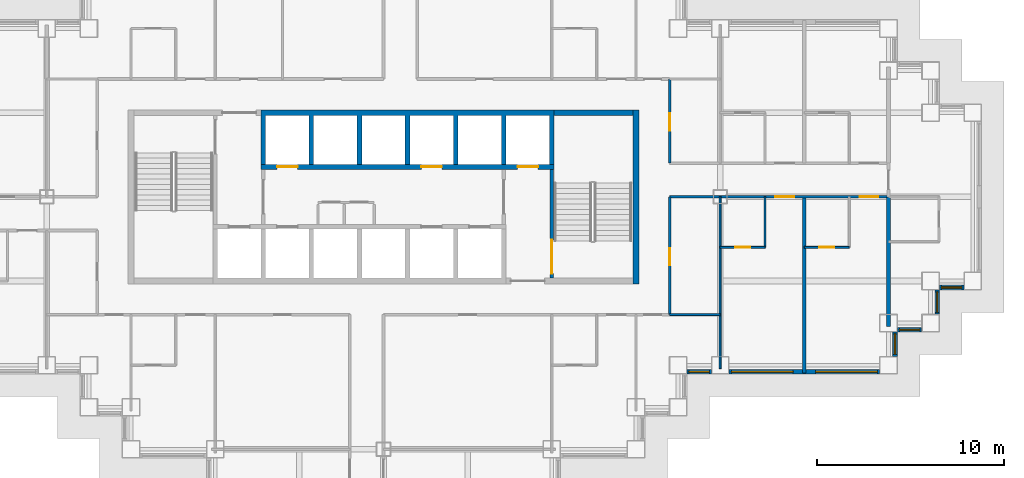
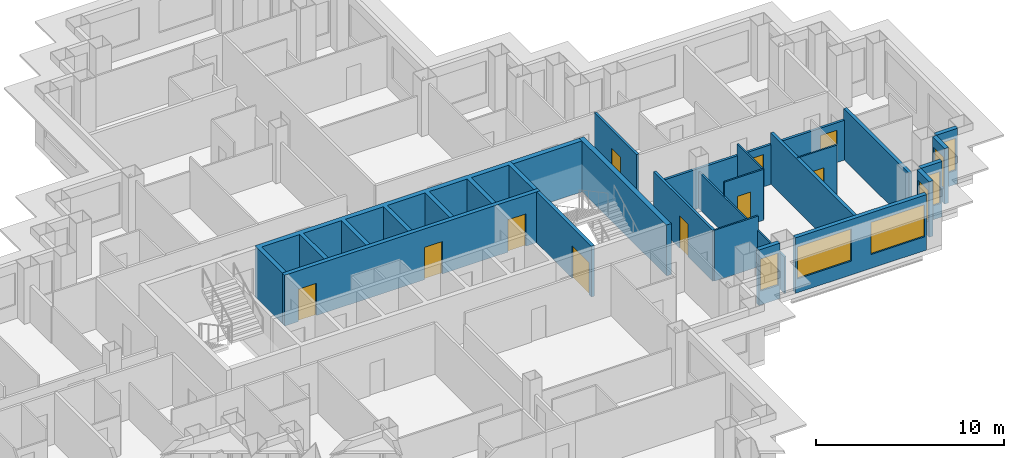
# One storey, part 6 of 15: 21 walls, 10 doors, 7 windows, 17 openings.
"""IFC4 building model written with IfcOpenShell, lengths in metres."""

import ifcopenshell
import ifcopenshell.guid

model = None  # the IFC model being written
_history = None  # IfcOwnerHistory: only IFC2X3 demands one
_inside = {}  # id of a spatial element -> (the spatial element, [elements in it])
_under = {}  # id of a project, library or spatial element -> (it, [spatial elements below it])
_declared = {}  # id of a project -> (the project, [libraries it declares])
_typed = {}  # id of a type object -> (the type object, [elements of that type])
_made_of = {}  # id of a material, layer set ... -> (it, [elements and type objects made of it])


def new_model(schema):
    """Start an empty IFC model of exactly this schema.

    Asked for "IFC4X3", IfcOpenShell would pick the latest addendum, in which some entities
    have other attributes; the version numbers below select the first issue.
    IFC2X3 requires an IfcOwnerHistory on every rooted entity: one is made here for all.
    """
    global model, _history
    if schema == "IFC4X3":
        model = ifcopenshell.file(schema_version=(4, 3, 0, 0))
    else:
        model = ifcopenshell.file(schema=schema)
    _inside.clear()
    _under.clear()
    _declared.clear()
    _typed.clear()
    _made_of.clear()
    _history = None
    if model.schema == "IFC2X3":
        org = make("IfcOrganization", Name="unknown")
        user = make(
            "IfcPersonAndOrganization",
            ThePerson=make("IfcPerson", FamilyName="unknown"),
            TheOrganization=org,
        )
        app = make(
            "IfcApplication",
            ApplicationDeveloper=org,
            Version="unknown",
            ApplicationFullName="unknown",
            ApplicationIdentifier="unknown",
        )
        _history = make(
            "IfcOwnerHistory",
            OwningUser=user,
            OwningApplication=app,
            ChangeAction="ADDED",
            CreationDate=0,
        )
    return model


def make(cls, **values):
    """One entity of the class cls with the attributes given. An attribute that is None is left unset."""
    return model.create_entity(
        cls, **{name: value for name, value in values.items() if value is not None}
    )


def rooted(cls, **values):
    """An entity with a GlobalId (a new one), such as an element, a storey or a relation."""
    return make(cls, GlobalId=ifcopenshell.guid.new(), OwnerHistory=_history, **values)


def si_unit(unit_type, name, prefix=None):
    """IfcSIUnit, for example si_unit("LENGTHUNIT", "METRE", prefix="MILLI")."""
    return make("IfcSIUnit", UnitType=unit_type, Prefix=prefix, Name=name)


def assignment(units):
    """IfcUnitAssignment: the units of a project."""
    return None if units is None else make("IfcUnitAssignment", Units=units)


def point(xyz):
    """IfcCartesianPoint."""
    return None if xyz is None else make("IfcCartesianPoint", Coordinates=xyz)


def direction(xyz):
    """IfcDirection."""
    return None if xyz is None else make("IfcDirection", DirectionRatios=xyz)


def frame(location, z_axis=None, x_axis=None):
    """IfcAxis2Placement3D, a coordinate frame: its origin and axes. An axis left out is left unset."""
    return make(
        "IfcAxis2Placement3D",
        Location=point(location),
        Axis=direction(z_axis),
        RefDirection=direction(x_axis),
    )


def frame_2d(location, x_axis=None):
    """IfcAxis2Placement2D, a coordinate frame in the plane: its origin and x axis."""
    return make(
        "IfcAxis2Placement2D", Location=point(location), RefDirection=direction(x_axis)
    )


def origin():
    """The frame at (0, 0, 0) with its axes left unset."""
    return frame((0.0, 0.0, 0.0))


def place(relative_to, where):
    """IfcLocalPlacement: puts the frame where relative to a parent placement (None: the world)."""
    return make(
        "IfcLocalPlacement", PlacementRelTo=relative_to, RelativePlacement=where
    )


def context(
    kind, dimensions, precision=None, world=None, true_north=None, identifier=None
):
    """IfcGeometricRepresentationContext, for example the 3D "Model" context."""
    return make(
        "IfcGeometricRepresentationContext",
        ContextIdentifier=identifier,
        ContextType=kind,
        CoordinateSpaceDimension=dimensions,
        Precision=precision,
        WorldCoordinateSystem=world,
        TrueNorth=true_north,
    )


def subcontext(parent, identifier, kind, view, scale=None):
    """IfcGeometricRepresentationSubContext, for example "Body" below "Model"."""
    return make(
        "IfcGeometricRepresentationSubContext",
        ContextIdentifier=identifier,
        ContextType=kind,
        ParentContext=parent,
        TargetScale=scale,
        TargetView=view,
    )


def project(units=None, contexts=None):
    """IfcProject with its units and contexts."""
    return rooted(
        "IfcProject",
        Name="project",
        RepresentationContexts=contexts,
        UnitsInContext=assignment(units),
    )


def spatial(cls, under=None, at=None, **own):
    """A site, building, storey or space (cls), placed at a placement, below another one or the project."""
    s = rooted(cls, ObjectPlacement=at, **own)
    if under is not None:
        _under.setdefault(under.id(), (under, []))[1].append(s)
    return s


def polyline(points):
    """IfcPolyline through the points."""
    return make("IfcPolyline", Points=[point(p) for p in points])


def profile(cls, at=None, kind="AREA", **sizes):
    """A parametric profile (cls). Its sizes go by their IFC names, for example OverallWidth=200.0."""
    return make(cls, ProfileType=kind, Position=at, **sizes)


def rectangle(**sizes):
    """IfcRectangleProfileDef."""
    return profile("IfcRectangleProfileDef", **sizes)


def outline(outer, holes=None, kind="AREA"):
    """IfcArbitraryClosedProfileDef: a profile drawn as a closed curve; with holes, ...WithVoids."""
    if holes is None:
        return make("IfcArbitraryClosedProfileDef", ProfileType=kind, OuterCurve=outer)
    return make(
        "IfcArbitraryProfileDefWithVoids",
        ProfileType=kind,
        OuterCurve=outer,
        InnerCurves=holes,
    )


def extrude(swept, where, along, depth):
    """IfcExtrudedAreaSolid: the profile swept, set in the frame where, extruded along a direction by depth."""
    return make(
        "IfcExtrudedAreaSolid",
        SweptArea=swept,
        Position=where,
        ExtrudedDirection=direction(along),
        Depth=depth,
    )


def shape(context_of_items, identifier, shape_type, items):
    """IfcShapeRepresentation: the items that make up one representation, for example the "Body"."""
    return make(
        "IfcShapeRepresentation",
        ContextOfItems=context_of_items,
        RepresentationIdentifier=identifier,
        RepresentationType=shape_type,
        Items=items,
    )


def material(Name=None, Category=None):
    """IfcMaterial."""
    return make("IfcMaterial", Name=Name, Category=Category)


def layer(
    of_material, thickness, ventilated=None, Name=None, Category=None, Priority=None
):
    """IfcMaterialLayer: one layer of a wall or slab, of a material (None: an air gap)."""
    return make(
        "IfcMaterialLayer",
        Material=of_material,
        LayerThickness=thickness,
        IsVentilated=ventilated,
        Name=Name,
        Category=Category,
        Priority=Priority,
    )


def layer_set(layers, Name=None):
    """IfcMaterialLayerSet."""
    return make("IfcMaterialLayerSet", MaterialLayers=layers, LayerSetName=Name)


def made_of(thing, what):
    """Note that an element or type object is made of a material, layer set ...; save() writes the relation."""
    if what is not None:
        _made_of.setdefault(what.id(), (what, []))[1].append(thing)
    return thing


def type_object(cls, material=None, **own):
    """A type object (cls), such as IfcWallType, which elements share."""
    return made_of(rooted(cls, **own), material)


def element(
    cls,
    number,
    at=None,
    inside=None,
    cuts=None,
    type_object=None,
    material=None,
    context=None,
    identifier="Body",
    shape_type=None,
    held_by="IfcProductDefinitionShape",
    body=None,
    shapes=None,
    **own,
):
    """One element of the class cls, such as IfcWall. Its Tag is "e" and its number.

    at: its placement. inside: the storey or other place that contains it. cuts: it is an
    opening in that element (IfcRelVoidsElement). A single representation is given by context,
    identifier, shape_type and body (its items); several are given by shapes. held_by: the class
    of the entity that holds the representations. save() writes the other relations.
    """
    e = rooted(cls, Tag="e%d" % number, ObjectPlacement=at, **own)
    if body is not None:
        shapes = [shape(context, identifier, shape_type, body)]
    if shapes is not None:
        e.Representation = make(held_by, Representations=shapes)
    if inside is not None:
        _inside.setdefault(inside.id(), (inside, []))[1].append(e)
    if cuts is not None:
        rooted(
            "IfcRelVoidsElement", RelatingBuildingElement=cuts, RelatedOpeningElement=e
        )
    if type_object is not None:
        _typed.setdefault(type_object.id(), (type_object, []))[1].append(e)
    return made_of(e, material)


def fill(opening, filler):
    """IfcRelFillsElement: the door or window that sits in an opening."""
    return rooted(
        "IfcRelFillsElement",
        RelatingOpeningElement=opening,
        RelatedBuildingElement=filler,
    )


def aggregate(whole, parts):
    """IfcRelAggregates: a whole, such as a stair, and the parts it consists of."""
    return rooted("IfcRelAggregates", RelatingObject=whole, RelatedObjects=parts)


def save(model, path):
    """Write the relations noted so far, then the file.

    IfcRelAggregates (storeys below a building ...), IfcRelContainedInSpatialStructure (elements
    in a storey), IfcRelDefinesByType, IfcRelAssociatesMaterial and IfcRelDeclares: one each for
    every whole, place, type object, material and project.
    """
    for whole, parts in _under.values():
        aggregate(whole, parts)
    for where, things in _inside.values():
        rooted(
            "IfcRelContainedInSpatialStructure",
            RelatedElements=things,
            RelatingStructure=where,
        )
    for kind, things in _typed.values():
        rooted("IfcRelDefinesByType", RelatedObjects=things, RelatingType=kind)
    for what, things in _made_of.values():
        rooted("IfcRelAssociatesMaterial", RelatedObjects=things, RelatingMaterial=what)
    for by, libraries in _declared.values():
        rooted("IfcRelDeclares", RelatingContext=by, RelatedDefinitions=libraries)
    model.write(path)


model = new_model("IFC4")

# Units and contexts
model_context = context("Model", 3, precision=1e-05, world=origin(), true_north=direction((0.0, 1.0)))
body_context = subcontext(model_context, "Body", "Model", "MODEL_VIEW")
ifc_project = project(units=[si_unit("LENGTHUNIT", "METRE"), si_unit("AREAUNIT", "SQUARE_METRE"), si_unit("VOLUMEUNIT", "CUBIC_METRE"), si_unit("PLANEANGLEUNIT", "RADIAN"), si_unit("MASSUNIT", "GRAM", prefix="KILO")], contexts=[model_context])

# Site, building, storey
site_placement = place(None, origin())
site = spatial("IfcSite", under=ifc_project, at=site_placement, CompositionType="ELEMENT")
building_placement = place(site_placement, origin())
building = spatial("IfcBuilding", under=site, at=building_placement, Name="Caravel Reach Hotel and Residences", CompositionType="ELEMENT")
storey_placement = place(building_placement, frame((0.0, 0.0, 78.0)))
storey = spatial("IfcBuildingStorey", under=building, at=storey_placement, Name="L18", CompositionType="ELEMENT", Elevation=78.0)

# Wall, opening, door
ifc_material_1 = material(Name="Gypsum board on steel stud", Category="steel")
ifc_layer_1 = layer(ifc_material_1, 0.10009765625)
ifc_layer_set_1 = layer_set([ifc_layer_1], Name="Bathroom pod wall 100 mm")
wall_type_1 = type_object("IfcWallType", Name="Bathroom pod wall 100 mm", PredefinedType="PARTITIONING", material=ifc_layer_set_1)
wall_1_placement = place(storey_placement, frame((49.5, 24.300048828125, 0.0), z_axis=(0.0, 0.0, 1.0), x_axis=(1.0, 0.0, 0.0)))
wall_1 = element("IfcWall", 1, at=wall_1_placement, inside=storey, type_object=wall_type_1, Name="L18 wall w088", PredefinedType="PARTITIONING", context=body_context, shape_type="SweptSolid", body=[
    extrude(rectangle(XDim=2.39990234375, YDim=0.10009765625, at=frame_2d((1.199951171875, 0.0))), origin(), (0.0, 0.0, 1.0), 3.300048828125),
])
opening_1_placement = place(wall_1_placement, frame((0.800048828125, 0.0, 0.0)))
opening_1 = element("IfcOpeningElement", 2, at=opening_1_placement, cuts=wall_1, Name="Opening D18-024", PredefinedType="OPENING", context=body_context, shape_type="SweptSolid", body=[
    extrude(rectangle(XDim=0.800048828125, YDim=2.10009765625, at=frame_2d((0.39990234375, 1.050048828125))), frame((0.0, 0.06005859375, 0.0), z_axis=(0.0, -1.0, 0.0), x_axis=(1.0, 0.0, 0.0)), (0.0, 0.0, 1.0), 0.1201171875),
])
ifc_material_2 = material(Name="Timber and steel door leaf", Category="steel")
door_type_1 = type_object("IfcDoorType", Name="Bathroom door 800 x 2100", OperationType="SINGLE_SWING_LEFT", PredefinedType="DOOR", material=ifc_material_2)
door_1_placement = place(opening_1_placement, origin())
door_1 = element("IfcDoor", 3, at=door_1_placement, inside=storey, type_object=door_type_1, Name="door D18-024", OperationType="SINGLE_SWING_RIGHT", OverallHeight=2.10009765625, OverallWidth=0.800048828125, PredefinedType="DOOR", context=body_context, shape_type="SweptSolid", body=[
    extrude(rectangle(XDim=0.800048828125, YDim=2.10009765625, at=frame_2d((0.39990234375, 1.050048828125))), frame((0.0, 0.02490234375, 0.0), z_axis=(0.0, -1.0, 0.0), x_axis=(1.0, 0.0, 0.0)), (0.0, 0.0, 1.0), 0.050048828125),
])
fill(opening_1, door_1)

wall_2_placement = place(storey_placement, frame((54.0, 24.300048828125, 0.0), z_axis=(0.0, 0.0, 1.0), x_axis=(1.0, 0.0, 0.0)))
wall_2 = element("IfcWall", 4, at=wall_2_placement, inside=storey, type_object=wall_type_1, Name="L18 wall w089", PredefinedType="PARTITIONING", context=body_context, shape_type="SweptSolid", body=[
    extrude(rectangle(XDim=2.39990234375, YDim=0.10009765625, at=frame_2d((1.199951171875, 0.0))), origin(), (0.0, 0.0, 1.0), 3.300048828125),
])
opening_2_placement = place(wall_2_placement, frame((0.800048828125, 0.0, 0.0)))
opening_2 = element("IfcOpeningElement", 5, at=opening_2_placement, cuts=wall_2, Name="Opening D18-026", PredefinedType="OPENING", context=body_context, shape_type="SweptSolid", body=[
    extrude(rectangle(XDim=0.800048828125, YDim=2.10009765625, at=frame_2d((0.39990234375, 1.050048828125))), frame((0.0, 0.06005859375, 0.0), z_axis=(0.0, -1.0, 0.0), x_axis=(1.0, 0.0, 0.0)), (0.0, 0.0, 1.0), 0.1201171875),
])
door_2_placement = place(opening_2_placement, origin())
door_2 = element("IfcDoor", 6, at=door_2_placement, inside=storey, type_object=door_type_1, Name="door D18-026", OperationType="SINGLE_SWING_RIGHT", OverallHeight=2.10009765625, OverallWidth=0.800048828125, PredefinedType="DOOR", context=body_context, shape_type="SweptSolid", body=[
    extrude(rectangle(XDim=0.800048828125, YDim=2.10009765625, at=frame_2d((0.39990234375, 1.050048828125))), frame((0.0, 0.02490234375, 0.0), z_axis=(0.0, -1.0, 0.0), x_axis=(1.0, 0.0, 0.0)), (0.0, 0.0, 1.0), 0.050048828125),
])
fill(opening_2, door_2)

# Walls
wall_3_placement = place(storey_placement, frame((51.89990234375, 24.300048828125, 0.0), z_axis=(0.0, 0.0, 1.0), x_axis=(0.0, 1.0, 0.0)))
element("IfcWall", 7, at=wall_3_placement, inside=storey, type_object=wall_type_1, Name="L18 wall w112", PredefinedType="PARTITIONING", context=body_context, shape_type="SweptSolid", body=[
    extrude(rectangle(XDim=2.699951171875, YDim=0.10009765625, at=frame_2d((1.35009765625, 0.0))), origin(), (0.0, 0.0, 1.0), 3.300048828125),
])
ifc_material_3 = material(Name="Concrete C60", Category="concrete")
ifc_layer_2 = layer(ifc_material_3, 0.300048828125)
ifc_layer_set_2 = layer_set([ifc_layer_2], Name="Core wall 300 mm EI 120")
wall_type_2 = type_object("IfcWallType", Name="Core wall 300 mm EI 120", PredefinedType="SHEAR", material=ifc_layer_set_2)
wall_4_placement = place(storey_placement, frame((40.625, 31.5, 0.0), z_axis=(0.0, 0.0, 1.0), x_axis=(1.0, 0.0, 0.0)))
element("IfcWall", 8, at=wall_4_placement, inside=storey, type_object=wall_type_2, Name="L18 core wall N2", PredefinedType="SHEAR", context=body_context, shape_type="SweptSolid", body=[
    extrude(rectangle(XDim=4.22509765625, YDim=0.300048828125, at=frame_2d((2.112548828125, 0.0))), origin(), (0.0, 0.0, 1.0), 3.300048828125),
])
wall_5_placement = place(storey_placement, frame((45.0, 22.35009765625, 0.0), z_axis=(0.0, 0.0, 1.0), x_axis=(0.0, 1.0, 0.0)))
element("IfcWall", 9, at=wall_5_placement, inside=storey, type_object=wall_type_2, Name="L18 core wall E", PredefinedType="SHEAR", context=body_context, shape_type="SweptSolid", body=[
    extrude(rectangle(XDim=9.2998046875, YDim=0.300048828125, at=frame_2d((4.64990234375, 0.0))), origin(), (0.0, 0.0, 1.0), 3.300048828125),
])

# Wall, openings, doors
ifc_material_4 = material(Name="Gypsum board on steel stud, fire-rated", Category="steel")
ifc_layer_3 = layer(ifc_material_4, 0.14990234375)
ifc_layer_set_3 = layer_set([ifc_layer_3], Name="Corridor wall 150 mm EI 60")
wall_type_3 = type_object("IfcWallType", Name="Corridor wall 150 mm EI 60", PredefinedType="PARTITIONING", material=ifc_layer_set_3)
wall_6_placement = place(storey_placement, frame((46.800048828125, 27.0, 0.0), z_axis=(0.0, 0.0, 1.0), x_axis=(1.0, 0.0, 0.0)))
wall_6 = element("IfcWall", 10, at=wall_6_placement, inside=storey, type_object=wall_type_3, Name="L18 wall w012", PredefinedType="PARTITIONING", context=body_context, shape_type="SweptSolid", body=[
    extrude(rectangle(XDim=11.699951171875, YDim=0.14990234375, at=frame_2d((5.85009765625, 0.0))), origin(), (0.0, 0.0, 1.0), 2.580078125),
])
opening_3_placement = place(wall_6_placement, frame((5.64990234375, 0.0, 0.0)))
opening_3 = element("IfcOpeningElement", 11, at=opening_3_placement, cuts=wall_6, Name="Opening D18-023", PredefinedType="OPENING", context=body_context, shape_type="SweptSolid", body=[
    extrude(rectangle(XDim=1.0, YDim=2.10009765625, at=frame_2d((0.5, 1.050048828125))), frame((0.0, 0.0849609375, 0.0), z_axis=(0.0, -1.0, 0.0), x_axis=(1.0, 0.0, 0.0)), (0.0, 0.0, 1.0), 0.169921875),
])
opening_4_placement = place(wall_6_placement, frame((10.14990234375, 0.0, 0.0)))
opening_4 = element("IfcOpeningElement", 12, at=opening_4_placement, cuts=wall_6, Name="Opening D18-025", PredefinedType="OPENING", context=body_context, shape_type="SweptSolid", body=[
    extrude(rectangle(XDim=1.0, YDim=2.10009765625, at=frame_2d((0.5, 1.050048828125))), frame((0.0, 0.0849609375, 0.0), z_axis=(0.0, -1.0, 0.0), x_axis=(1.0, 0.0, 0.0)), (0.0, 0.0, 1.0), 0.169921875),
])
ifc_material_5 = material(Name="Steel fire door leaf", Category="steel")
door_type_2 = type_object("IfcDoorType", Name="Guest room door 1000 x 2100 EI 30", OperationType="SINGLE_SWING_LEFT", PredefinedType="DOOR", material=ifc_material_5)
door_3_placement = place(opening_3_placement, origin())
door_3 = element("IfcDoor", 13, at=door_3_placement, inside=storey, type_object=door_type_2, Name="door D18-023", OperationType="SINGLE_SWING_RIGHT", OverallHeight=2.10009765625, OverallWidth=1.0, PredefinedType="DOOR", context=body_context, shape_type="SweptSolid", body=[
    extrude(rectangle(XDim=1.0, YDim=2.10009765625, at=frame_2d((0.5, 1.050048828125))), frame((0.0, 0.02490234375, 0.0), z_axis=(0.0, -1.0, 0.0), x_axis=(1.0, 0.0, 0.0)), (0.0, 0.0, 1.0), 0.050048828125),
])
fill(opening_3, door_3)
door_4_placement = place(opening_4_placement, origin())
door_4 = element("IfcDoor", 14, at=door_4_placement, inside=storey, type_object=door_type_2, Name="door D18-025", OperationType="SINGLE_SWING_RIGHT", OverallHeight=2.10009765625, OverallWidth=1.0, PredefinedType="DOOR", context=body_context, shape_type="SweptSolid", body=[
    extrude(rectangle(XDim=1.0, YDim=2.10009765625, at=frame_2d((0.5, 1.050048828125))), frame((0.0, 0.02490234375, 0.0), z_axis=(0.0, -1.0, 0.0), x_axis=(1.0, 0.0, 0.0)), (0.0, 0.0, 1.0), 0.050048828125),
])
fill(opening_4, door_4)

# Wall, opening, door
wall_7_placement = place(storey_placement, frame((46.800048828125, 28.800048828125, 0.0), z_axis=(0.0, 0.0, 1.0), x_axis=(0.0, 1.0, 0.0)))
wall_7 = element("IfcWall", 15, at=wall_7_placement, inside=storey, type_object=wall_type_3, Name="L18 wall w040", PredefinedType="PARTITIONING", context=body_context, shape_type="SweptSolid", body=[
    extrude(rectangle(XDim=4.5, YDim=0.14990234375, at=frame_2d((2.25, 0.0))), origin(), (0.0, 0.0, 1.0), 3.300048828125),
])
opening_5_placement = place(wall_7_placement, frame((1.72509765625, 0.0, 0.0)))
opening_5 = element("IfcOpeningElement", 16, at=opening_5_placement, cuts=wall_7, Name="Opening D18-066", PredefinedType="OPENING", context=body_context, shape_type="SweptSolid", body=[
    extrude(rectangle(XDim=0.949951171875, YDim=2.10009765625, at=frame_2d((0.47509765625, 1.050048828125))), frame((0.0, 0.0849609375, 0.0), z_axis=(0.0, -1.0, 0.0), x_axis=(1.0, 0.0, 0.0)), (0.0, 0.0, 1.0), 0.169921875),
])
ifc_material_6 = material(Name="Timber and steel door leaf", Category="steel")
door_type_3 = type_object("IfcDoorType", Name="Accessible WC door 950 x 2100", OperationType="SINGLE_SWING_LEFT", PredefinedType="DOOR", material=ifc_material_6)
door_5_placement = place(opening_5_placement, origin())
door_5 = element("IfcDoor", 17, at=door_5_placement, inside=storey, type_object=door_type_3, Name="door D18-066", OperationType="SINGLE_SWING_LEFT", OverallHeight=2.10009765625, OverallWidth=0.949951171875, PredefinedType="DOOR", context=body_context, shape_type="SweptSolid", body=[
    extrude(rectangle(XDim=0.949951171875, YDim=2.10009765625, at=frame_2d((0.47509765625, 1.050048828125))), frame((0.0, 0.02490234375, 0.0), z_axis=(0.0, -1.0, 0.0), x_axis=(1.0, 0.0, 0.0)), (0.0, 0.0, 1.0), 0.050048828125),
])
fill(opening_5, door_5)

wall_8_placement = place(storey_placement, frame((46.800048828125, 20.699951171875, 0.0), z_axis=(0.0, 0.0, 1.0), x_axis=(0.0, 1.0, 0.0)))
wall_8 = element("IfcWall", 18, at=wall_8_placement, inside=storey, type_object=wall_type_3, Name="L18 wall w041", PredefinedType="PARTITIONING", context=body_context, shape_type="SweptSolid", body=[
    extrude(rectangle(XDim=6.300048828125, YDim=0.14990234375, at=frame_2d((3.14990234375, 0.0))), origin(), (0.0, 0.0, 1.0), 3.300048828125),
])
opening_6_placement = place(wall_8_placement, frame((2.64990234375, 0.0, 0.0)))
opening_6 = element("IfcOpeningElement", 19, at=opening_6_placement, cuts=wall_8, Name="Opening D18-065", PredefinedType="OPENING", context=body_context, shape_type="SweptSolid", body=[
    extrude(rectangle(XDim=0.89990234375, YDim=2.10009765625, at=frame_2d((0.449951171875, 1.050048828125))), frame((0.0, 0.0849609375, 0.0), z_axis=(0.0, -1.0, 0.0), x_axis=(1.0, 0.0, 0.0)), (0.0, 0.0, 1.0), 0.169921875),
])
ifc_material_7 = material(Name="Timber and steel door leaf", Category="steel")
door_type_4 = type_object("IfcDoorType", Name="Door 900 x 2100 timber", OperationType="SINGLE_SWING_LEFT", PredefinedType="DOOR", material=ifc_material_7)
door_6_placement = place(opening_6_placement, origin())
door_6 = element("IfcDoor", 20, at=door_6_placement, inside=storey, type_object=door_type_4, Name="door D18-065", OperationType="SINGLE_SWING_LEFT", OverallHeight=2.10009765625, OverallWidth=0.89990234375, PredefinedType="DOOR", context=body_context, shape_type="SweptSolid", body=[
    extrude(rectangle(XDim=0.89990234375, YDim=2.10009765625, at=frame_2d((0.449951171875, 1.050048828125))), frame((0.0, 0.02490234375, 0.0), z_axis=(0.0, -1.0, 0.0), x_axis=(1.0, 0.0, 0.0)), (0.0, 0.0, 1.0), 0.050048828125),
])
fill(opening_6, door_6)

# Wall, opening, window
ifc_material_8 = material(Name="Insulated rainscreen wall, aluminium cladding", Category="aluminium")
ifc_layer_4 = layer(ifc_material_8, 0.25)
ifc_layer_set_4 = layer_set([ifc_layer_4], Name="EW1 Tower rainscreen wall")
wall_type_4 = type_object("IfcWallType", Name="EW1 Tower rainscreen wall", PredefinedType="SOLIDWALL", material=ifc_layer_set_4)
wall_9_placement = place(storey_placement, frame((47.72509765625, 17.64990234375, 0.0), z_axis=(0.0, 0.0, 1.0), x_axis=(1.0, 0.0, 0.0)))
wall_9 = element("IfcWall", 21, at=wall_9_placement, inside=storey, type_object=wall_type_4, Name="External wall L18 S15.1", PredefinedType="SOLIDWALL", context=body_context, shape_type="SweptSolid", body=[
    extrude(rectangle(XDim=1.2998046875, YDim=0.25, at=frame_2d((0.64990234375, 0.0))), origin(), (0.0, 0.0, 1.0), 3.60009765625),
])
opening_7_placement = place(wall_9_placement, frame((0.10009765625, 0.0, 0.89990234375)))
opening_7 = element("IfcOpeningElement", 22, at=opening_7_placement, cuts=wall_9, Name="Opening WN5", PredefinedType="OPENING", context=body_context, shape_type="SweptSolid", body=[
    extrude(rectangle(XDim=1.10009765625, YDim=2.080078125, at=frame_2d((0.550048828125, 1.0400390625))), frame((0.0, 0.135009765625, 0.0), z_axis=(0.0, -1.0, 0.0), x_axis=(1.0, 0.0, 0.0)), (0.0, 0.0, 1.0), 0.27001953125),
])
ifc_material_9 = material(Name="Dark low-e glazing in black aluminium frame", Category="aluminium")
window_type_1 = type_object("IfcWindowType", Name="Hotel suite corner window 1100 x 2080", PartitioningType="SINGLE_PANEL", PredefinedType="WINDOW", material=ifc_material_9)
window_1_placement = place(opening_7_placement, origin())
window_1 = element("IfcWindow", 23, at=window_1_placement, inside=storey, type_object=window_type_1, Name="Window L18 S15.1.1", OverallHeight=2.080078125, OverallWidth=1.10009765625, PartitioningType="SINGLE_PANEL", PredefinedType="WINDOW", context=body_context, shape_type="SweptSolid", body=[
    extrude(rectangle(XDim=1.10009765625, YDim=2.080078125, at=frame_2d((0.550048828125, 1.0400390625))), frame((0.0, 0.030029296875, 0.0), z_axis=(0.0, -1.0, 0.0), x_axis=(1.0, 0.0, 0.0)), (0.0, 0.0, 1.0), 0.06005859375),
])
fill(opening_7, window_1)

# Wall, openings, windows
wall_10_placement = place(storey_placement, frame((49.97509765625, 17.64990234375, 0.0), z_axis=(0.0, 0.0, 1.0), x_axis=(1.0, 0.0, 0.0)))
wall_10 = element("IfcWall", 24, at=wall_10_placement, inside=storey, type_object=wall_type_4, Name="External wall L18 S15.2", PredefinedType="SOLIDWALL", context=body_context, shape_type="SweptSolid", body=[
    extrude(rectangle(XDim=8.0498046875, YDim=0.25, at=frame_2d((4.02490234375, 0.0))), origin(), (0.0, 0.0, 1.0), 3.60009765625),
])
opening_8_placement = place(wall_10_placement, frame((0.125, 0.0, 0.89990234375)))
opening_8 = element("IfcOpeningElement", 25, at=opening_8_placement, cuts=wall_10, Name="Opening WN4", PredefinedType="OPENING", context=body_context, shape_type="SweptSolid", body=[
    extrude(rectangle(XDim=3.300048828125, YDim=2.080078125, at=frame_2d((1.64990234375, 1.0400390625))), frame((0.0, 0.135009765625, 0.0), z_axis=(0.0, -1.0, 0.0), x_axis=(1.0, 0.0, 0.0)), (0.0, 0.0, 1.0), 0.27001953125),
])
opening_9_placement = place(wall_10_placement, frame((4.625, 0.0, 0.89990234375)))
opening_9 = element("IfcOpeningElement", 26, at=opening_9_placement, cuts=wall_10, Name="Opening WN4", PredefinedType="OPENING", context=body_context, shape_type="SweptSolid", body=[
    extrude(rectangle(XDim=3.300048828125, YDim=2.080078125, at=frame_2d((1.64990234375, 1.0400390625))), frame((0.0, 0.135009765625, 0.0), z_axis=(0.0, -1.0, 0.0), x_axis=(1.0, 0.0, 0.0)), (0.0, 0.0, 1.0), 0.27001953125),
])
ifc_material_10 = material(Name="Dark low-e glazing in black aluminium frame", Category="aluminium")
window_type_2 = type_object("IfcWindowType", Name="Hotel guest room window 3300 x 2080", PartitioningType="SINGLE_PANEL", PredefinedType="WINDOW", material=ifc_material_10)
window_2_placement = place(opening_8_placement, origin())
window_2 = element("IfcWindow", 27, at=window_2_placement, inside=storey, type_object=window_type_2, Name="Window L18 S15.2.1", OverallHeight=2.080078125, OverallWidth=3.300048828125, PartitioningType="SINGLE_PANEL", PredefinedType="WINDOW", context=body_context, shape_type="SweptSolid", body=[
    extrude(rectangle(XDim=3.300048828125, YDim=2.080078125, at=frame_2d((1.64990234375, 1.0400390625))), frame((0.0, 0.030029296875, 0.0), z_axis=(0.0, -1.0, 0.0), x_axis=(1.0, 0.0, 0.0)), (0.0, 0.0, 1.0), 0.06005859375),
])
fill(opening_8, window_2)
window_3_placement = place(opening_9_placement, origin())
window_3 = element("IfcWindow", 28, at=window_3_placement, inside=storey, type_object=window_type_2, Name="Window L18 S15.2.2", OverallHeight=2.080078125, OverallWidth=3.300048828125, PartitioningType="SINGLE_PANEL", PredefinedType="WINDOW", context=body_context, shape_type="SweptSolid", body=[
    extrude(rectangle(XDim=3.300048828125, YDim=2.080078125, at=frame_2d((1.64990234375, 1.0400390625))), frame((0.0, 0.030029296875, 0.0), z_axis=(0.0, -1.0, 0.0), x_axis=(1.0, 0.0, 0.0)), (0.0, 0.0, 1.0), 0.06005859375),
])
fill(opening_9, window_3)

# Wall, opening, window
wall_11_placement = place(storey_placement, frame((58.85009765625, 18.47509765625, 0.0), z_axis=(0.0, 0.0, 1.0), x_axis=(0.0, 1.0, 0.0)))
wall_11 = element("IfcWall", 29, at=wall_11_placement, inside=storey, type_object=wall_type_4, Name="External wall L18 E16.1", PredefinedType="SOLIDWALL", context=body_context, shape_type="SweptSolid", body=[
    extrude(rectangle(XDim=1.2998046875, YDim=0.25, at=frame_2d((0.64990234375, 0.0))), origin(), (0.0, 0.0, 1.0), 3.60009765625),
])
opening_10_placement = place(wall_11_placement, frame((0.10009765625, 0.0, 0.89990234375)))
opening_10 = element("IfcOpeningElement", 30, at=opening_10_placement, cuts=wall_11, Name="Opening WN5", PredefinedType="OPENING", context=body_context, shape_type="SweptSolid", body=[
    extrude(rectangle(XDim=1.10009765625, YDim=2.080078125, at=frame_2d((0.550048828125, 1.0400390625))), frame((0.0, 0.135009765625, 0.0), z_axis=(0.0, -1.0, 0.0), x_axis=(1.0, 0.0, 0.0)), (0.0, 0.0, 1.0), 0.27001953125),
])
window_4_placement = place(opening_10_placement, origin())
window_4 = element("IfcWindow", 31, at=window_4_placement, inside=storey, type_object=window_type_1, Name="Window L18 E16.1.1", OverallHeight=2.080078125, OverallWidth=1.10009765625, PartitioningType="SINGLE_PANEL", PredefinedType="WINDOW", context=body_context, shape_type="SweptSolid", body=[
    extrude(rectangle(XDim=1.10009765625, YDim=2.080078125, at=frame_2d((0.550048828125, 1.0400390625))), frame((0.0, 0.030029296875, 0.0), z_axis=(0.0, -1.0, 0.0), x_axis=(1.0, 0.0, 0.0)), (0.0, 0.0, 1.0), 0.06005859375),
])
fill(opening_10, window_4)

wall_12_placement = place(storey_placement, frame((58.97509765625, 19.89990234375, 0.0), z_axis=(0.0, 0.0, 1.0), x_axis=(1.0, 0.0, 0.0)))
wall_12 = element("IfcWall", 32, at=wall_12_placement, inside=storey, type_object=wall_type_4, Name="External wall L18 S17.1", PredefinedType="SOLIDWALL", context=body_context, shape_type="SweptSolid", body=[
    extrude(rectangle(XDim=1.2998046875, YDim=0.25, at=frame_2d((0.64990234375, 0.0))), origin(), (0.0, 0.0, 1.0), 3.60009765625),
])
opening_11_placement = place(wall_12_placement, frame((0.10009765625, 0.0, 0.89990234375)))
opening_11 = element("IfcOpeningElement", 33, at=opening_11_placement, cuts=wall_12, Name="Opening WN5", PredefinedType="OPENING", context=body_context, shape_type="SweptSolid", body=[
    extrude(rectangle(XDim=1.10009765625, YDim=2.080078125, at=frame_2d((0.550048828125, 1.0400390625))), frame((0.0, 0.135009765625, 0.0), z_axis=(0.0, -1.0, 0.0), x_axis=(1.0, 0.0, 0.0)), (0.0, 0.0, 1.0), 0.27001953125),
])
window_5_placement = place(opening_11_placement, origin())
window_5 = element("IfcWindow", 34, at=window_5_placement, inside=storey, type_object=window_type_1, Name="Window L18 S17.1.1", OverallHeight=2.080078125, OverallWidth=1.10009765625, PartitioningType="SINGLE_PANEL", PredefinedType="WINDOW", context=body_context, shape_type="SweptSolid", body=[
    extrude(rectangle(XDim=1.10009765625, YDim=2.080078125, at=frame_2d((0.550048828125, 1.0400390625))), frame((0.0, 0.030029296875, 0.0), z_axis=(0.0, -1.0, 0.0), x_axis=(1.0, 0.0, 0.0)), (0.0, 0.0, 1.0), 0.06005859375),
])
fill(opening_11, window_5)

wall_13_placement = place(storey_placement, frame((61.10009765625, 20.72509765625, 0.0), z_axis=(0.0, 0.0, 1.0), x_axis=(0.0, 1.0, 0.0)))
wall_13 = element("IfcWall", 35, at=wall_13_placement, inside=storey, type_object=wall_type_4, Name="External wall L18 E18.1", PredefinedType="SOLIDWALL", context=body_context, shape_type="SweptSolid", body=[
    extrude(rectangle(XDim=1.2998046875, YDim=0.25, at=frame_2d((0.64990234375, 0.0))), origin(), (0.0, 0.0, 1.0), 3.60009765625),
])
opening_12_placement = place(wall_13_placement, frame((0.10009765625, 0.0, 0.89990234375)))
opening_12 = element("IfcOpeningElement", 36, at=opening_12_placement, cuts=wall_13, Name="Opening WN5", PredefinedType="OPENING", context=body_context, shape_type="SweptSolid", body=[
    extrude(rectangle(XDim=1.10009765625, YDim=2.080078125, at=frame_2d((0.550048828125, 1.0400390625))), frame((0.0, 0.135009765625, 0.0), z_axis=(0.0, -1.0, 0.0), x_axis=(1.0, 0.0, 0.0)), (0.0, 0.0, 1.0), 0.27001953125),
])
window_6_placement = place(opening_12_placement, origin())
window_6 = element("IfcWindow", 37, at=window_6_placement, inside=storey, type_object=window_type_1, Name="Window L18 E18.1.1", OverallHeight=2.080078125, OverallWidth=1.10009765625, PartitioningType="SINGLE_PANEL", PredefinedType="WINDOW", context=body_context, shape_type="SweptSolid", body=[
    extrude(rectangle(XDim=1.10009765625, YDim=2.080078125, at=frame_2d((0.550048828125, 1.0400390625))), frame((0.0, 0.030029296875, 0.0), z_axis=(0.0, -1.0, 0.0), x_axis=(1.0, 0.0, 0.0)), (0.0, 0.0, 1.0), 0.06005859375),
])
fill(opening_12, window_6)

wall_14_placement = place(storey_placement, frame((61.22509765625, 22.14990234375, 0.0), z_axis=(0.0, 0.0, 1.0), x_axis=(1.0, 0.0, 0.0)))
wall_14 = element("IfcWall", 38, at=wall_14_placement, inside=storey, type_object=wall_type_4, Name="External wall L18 S19.1", PredefinedType="SOLIDWALL", context=body_context, shape_type="SweptSolid", body=[
    extrude(rectangle(XDim=1.2998046875, YDim=0.25, at=frame_2d((0.64990234375, 0.0))), origin(), (0.0, 0.0, 1.0), 3.60009765625),
])
opening_13_placement = place(wall_14_placement, frame((0.10009765625, 0.0, 0.89990234375)))
opening_13 = element("IfcOpeningElement", 39, at=opening_13_placement, cuts=wall_14, Name="Opening WN5", PredefinedType="OPENING", context=body_context, shape_type="SweptSolid", body=[
    extrude(rectangle(XDim=1.10009765625, YDim=2.080078125, at=frame_2d((0.550048828125, 1.0400390625))), frame((0.0, 0.135009765625, 0.0), z_axis=(0.0, -1.0, 0.0), x_axis=(1.0, 0.0, 0.0)), (0.0, 0.0, 1.0), 0.27001953125),
])
window_7_placement = place(opening_13_placement, origin())
window_7 = element("IfcWindow", 40, at=window_7_placement, inside=storey, type_object=window_type_1, Name="Window L18 S19.1.1", OverallHeight=2.080078125, OverallWidth=1.10009765625, PartitioningType="SINGLE_PANEL", PredefinedType="WINDOW", context=body_context, shape_type="SweptSolid", body=[
    extrude(rectangle(XDim=1.10009765625, YDim=2.080078125, at=frame_2d((0.550048828125, 1.0400390625))), frame((0.0, 0.030029296875, 0.0), z_axis=(0.0, -1.0, 0.0), x_axis=(1.0, 0.0, 0.0)), (0.0, 0.0, 1.0), 0.06005859375),
])
fill(opening_13, window_7)

# Walls
ifc_material_11 = material(Name="Gypsum board on steel stud", Category="steel")
ifc_layer_5 = layer(ifc_material_11, 0.10009765625)
ifc_layer_set_5 = layer_set([ifc_layer_5], Name="Partition 100 mm")
wall_type_5 = type_object("IfcWallType", Name="Partition 100 mm", PredefinedType="PARTITIONING", material=ifc_layer_set_5)
wall_15_placement = place(storey_placement, frame((46.800048828125, 20.699951171875, 0.0), z_axis=(0.0, 0.0, 1.0), x_axis=(1.0, 0.0, 0.0)))
element("IfcWall", 41, at=wall_15_placement, inside=storey, type_object=wall_type_5, Name="L18 wall w046", PredefinedType="PARTITIONING", context=body_context, shape_type="SweptSolid", body=[
    extrude(rectangle(XDim=2.699951171875, YDim=0.10009765625, at=frame_2d((1.35009765625, 0.0))), origin(), (0.0, 0.0, 1.0), 3.300048828125),
])
wall_16_placement = place(storey_placement, frame((49.5, 17.81005859375, 0.0), z_axis=(0.0, 0.0, 1.0), x_axis=(0.0, 1.0, 0.0)))
element("IfcWall", 42, at=wall_16_placement, inside=storey, type_object=wall_type_5, Name="L18 wall w073", PredefinedType="PARTITIONING", context=body_context, shape_type="SweptSolid", body=[
    extrude(rectangle(XDim=9.18994140625, YDim=0.10009765625, at=frame_2d((4.594970703125, 0.0))), origin(), (0.0, 0.0, 1.0), 2.3798828125),
])
ifc_material_12 = material(Name="Autoclaved aerated block wall")
ifc_layer_6 = layer(ifc_material_12, 0.199951171875)
ifc_layer_set_6 = layer_set([ifc_layer_6], Name="Party wall 200 mm EI 60")
wall_type_6 = type_object("IfcWallType", Name="Party wall 200 mm EI 60", PredefinedType="PARTITIONING", material=ifc_layer_set_6)
wall_17_placement = place(storey_placement, frame((54.0, 17.5849609375, 0.0), z_axis=(0.0, 0.0, 1.0), x_axis=(0.0, 1.0, 0.0)))
element("IfcWall", 43, at=wall_17_placement, inside=storey, type_object=wall_type_6, Name="L18 wall w078", PredefinedType="PARTITIONING", context=body_context, shape_type="SweptSolid", body=[
    extrude(rectangle(XDim=9.4150390625, YDim=0.199951171875, at=frame_2d((4.70751953125, 0.0))), origin(), (0.0, 0.0, 1.0), 3.300048828125),
])
wall_18_placement = place(storey_placement, frame((58.5, 20.06005859375, 0.0), z_axis=(0.0, 0.0, 1.0), x_axis=(0.0, 1.0, 0.0)))
element("IfcWall", 44, at=wall_18_placement, inside=storey, type_object=wall_type_6, Name="L18 wall w080", PredefinedType="PARTITIONING", context=body_context, shape_type="SweptSolid", body=[
    extrude(rectangle(XDim=6.93994140625, YDim=0.199951171875, at=frame_2d((3.469970703125, 0.0))), origin(), (0.0, 0.0, 1.0), 3.300048828125),
])
ifc_material_13 = material(Name="Concrete C60", Category="concrete")
ifc_layer_7 = layer(ifc_material_13, 0.25)
ifc_layer_set_7 = layer_set([ifc_layer_7], Name="Shaft wall 250 mm EI 120")
wall_type_7 = type_object("IfcWallType", Name="Shaft wall 250 mm EI 120", PredefinedType="SHEAR", material=ifc_layer_set_7)
wall_19_placement = place(storey_placement, origin())
element("IfcWall", 45, at=wall_19_placement, inside=storey, type_object=wall_type_7, Name="L18 lift shaft wall N1", PredefinedType="SHEAR", context=body_context, shape_type="SweptSolid", body=[
    extrude(outline(polyline([(24.946533203125, 28.72509765625), (25.196533203125, 28.72509765625), (25.196533203125, 31.35009765625), (27.517822265625, 31.35009765625), (27.517822265625, 28.72509765625), (27.767822265625, 28.72509765625), (27.767822265625, 31.35009765625), (30.08935546875, 31.35009765625), (30.08935546875, 28.72509765625), (30.33935546875, 28.72509765625), (30.33935546875, 31.35009765625), (32.66064453125, 31.35009765625), (32.66064453125, 28.72509765625), (32.91064453125, 28.72509765625), (32.91064453125, 31.35009765625), (35.232177734375, 31.35009765625), (35.232177734375, 28.72509765625), (35.482177734375, 28.72509765625), (35.482177734375, 31.35009765625), (37.803466796875, 31.35009765625), (37.803466796875, 28.72509765625), (38.053466796875, 28.72509765625), (38.053466796875, 31.35009765625), (40.375, 31.35009765625), (40.375, 28.72509765625), (40.625, 28.72509765625), (40.625, 31.64990234375), (24.946533203125, 31.64990234375), (24.946533203125, 28.72509765625)])), origin(), (0.0, 0.0, 1.0), 3.300048828125),
])

# Wall, openings, doors
wall_20_placement = place(storey_placement, frame((24.946533203125, 28.60009765625, 0.0), z_axis=(0.0, 0.0, 1.0), x_axis=(1.0, 0.0, 0.0)))
wall_20 = element("IfcWall", 46, at=wall_20_placement, inside=storey, type_object=wall_type_7, Name="L18 lobby wall N1", PredefinedType="SHEAR", context=body_context, shape_type="SweptSolid", body=[
    extrude(rectangle(XDim=15.678466796875, YDim=0.25, at=frame_2d((7.83935546875, 0.0))), origin(), (0.0, 0.0, 1.0), 3.300048828125),
])
opening_14_placement = place(wall_20_placement, frame((0.860595703125, 0.0, 0.0)))
opening_14 = element("IfcOpeningElement", 47, at=opening_14_placement, cuts=wall_20, Name="Opening D18-004", PredefinedType="OPENING", context=body_context, shape_type="SweptSolid", body=[
    extrude(rectangle(XDim=1.10009765625, YDim=2.10009765625, at=frame_2d((0.550048828125, 1.050048828125))), frame((0.0, 0.135009765625, 0.0), z_axis=(0.0, -1.0, 0.0), x_axis=(1.0, 0.0, 0.0)), (0.0, 0.0, 1.0), 0.27001953125),
])
opening_15_placement = place(wall_20_placement, frame((8.574951171875, 0.0, 0.0)))
opening_15 = element("IfcOpeningElement", 48, at=opening_15_placement, cuts=wall_20, Name="Opening D18-005", PredefinedType="OPENING", context=body_context, shape_type="SweptSolid", body=[
    extrude(rectangle(XDim=1.10009765625, YDim=2.10009765625, at=frame_2d((0.550048828125, 1.050048828125))), frame((0.0, 0.135009765625, 0.0), z_axis=(0.0, -1.0, 0.0), x_axis=(1.0, 0.0, 0.0)), (0.0, 0.0, 1.0), 0.27001953125),
])
opening_16_placement = place(wall_20_placement, frame((13.718017578125, 0.0, 0.0)))
opening_16 = element("IfcOpeningElement", 49, at=opening_16_placement, cuts=wall_20, Name="Opening D18-007", PredefinedType="OPENING", context=body_context, shape_type="SweptSolid", body=[
    extrude(rectangle(XDim=1.10009765625, YDim=2.10009765625, at=frame_2d((0.550048828125, 1.050048828125))), frame((0.0, 0.135009765625, 0.0), z_axis=(0.0, -1.0, 0.0), x_axis=(1.0, 0.0, 0.0)), (0.0, 0.0, 1.0), 0.27001953125),
])
ifc_material_14 = material(Name="Stainless steel landing door", Category="steel")
door_type_5 = type_object("IfcDoorType", Name="Landing door LD 1100 x 2100 sliding", OperationType="DOUBLE_DOOR_SLIDING", PredefinedType="DOOR", material=ifc_material_14)
door_7_placement = place(opening_14_placement, origin())
door_7 = element("IfcDoor", 50, at=door_7_placement, inside=storey, type_object=door_type_5, Name="LP4 landing door", OperationType="DOUBLE_DOOR_SLIDING", OverallHeight=2.10009765625, OverallWidth=1.10009765625, PredefinedType="DOOR", context=body_context, shape_type="SweptSolid", body=[
    extrude(rectangle(XDim=1.10009765625, YDim=2.10009765625, at=frame_2d((0.550048828125, 1.050048828125))), frame((0.0, 0.02490234375, 0.0), z_axis=(0.0, -1.0, 0.0), x_axis=(1.0, 0.0, 0.0)), (0.0, 0.0, 1.0), 0.050048828125),
])
fill(opening_14, door_7)
door_8_placement = place(opening_15_placement, origin())
door_8 = element("IfcDoor", 51, at=door_8_placement, inside=storey, type_object=door_type_5, Name="LP5 landing door", OperationType="DOUBLE_DOOR_SLIDING", OverallHeight=2.10009765625, OverallWidth=1.10009765625, PredefinedType="DOOR", context=body_context, shape_type="SweptSolid", body=[
    extrude(rectangle(XDim=1.10009765625, YDim=2.10009765625, at=frame_2d((0.550048828125, 1.050048828125))), frame((0.0, 0.02490234375, 0.0), z_axis=(0.0, -1.0, 0.0), x_axis=(1.0, 0.0, 0.0)), (0.0, 0.0, 1.0), 0.050048828125),
])
fill(opening_15, door_8)
door_9_placement = place(opening_16_placement, origin())
door_9 = element("IfcDoor", 52, at=door_9_placement, inside=storey, type_object=door_type_5, Name="FL2 landing door", OperationType="DOUBLE_DOOR_SLIDING", OverallHeight=2.10009765625, OverallWidth=1.10009765625, PredefinedType="DOOR", context=body_context, shape_type="SweptSolid", body=[
    extrude(rectangle(XDim=1.10009765625, YDim=2.10009765625, at=frame_2d((0.550048828125, 1.050048828125))), frame((0.0, 0.02490234375, 0.0), z_axis=(0.0, -1.0, 0.0), x_axis=(1.0, 0.0, 0.0)), (0.0, 0.0, 1.0), 0.050048828125),
])
fill(opening_16, door_9)

# Wall, opening, door
ifc_material_15 = material(Name="Concrete C60", Category="concrete")
ifc_layer_8 = layer(ifc_material_15, 0.199951171875)
ifc_layer_set_8 = layer_set([ifc_layer_8], Name="Stair enclosure wall 200 mm EI 120")
wall_type_8 = type_object("IfcWallType", Name="Stair enclosure wall 200 mm EI 120", PredefinedType="SHEAR", material=ifc_layer_set_8)
wall_21_placement = place(storey_placement, frame((40.5, 22.64990234375, 0.0), z_axis=(0.0, 0.0, 1.0), x_axis=(0.0, 1.0, 0.0)))
wall_21 = element("IfcWall", 53, at=wall_21_placement, inside=storey, type_object=wall_type_8, Name="L18 stair B wall", PredefinedType="SHEAR", context=body_context, shape_type="SweptSolid", body=[
    extrude(rectangle(XDim=5.8251953125, YDim=0.199951171875, at=frame_2d((2.91259765625, 0.0))), origin(), (0.0, 0.0, 1.0), 3.300048828125),
])
opening_17_placement = place(wall_21_placement, frame((0.25, 0.0, 0.0)))
opening_17 = element("IfcOpeningElement", 54, at=opening_17_placement, cuts=wall_21, Name="Opening D18-011", PredefinedType="OPENING", context=body_context, shape_type="SweptSolid", body=[
    extrude(rectangle(XDim=1.800048828125, YDim=2.10009765625, at=frame_2d((0.89990234375, 1.050048828125))), frame((0.0, 0.10986328125, 0.0), z_axis=(0.0, -1.0, 0.0), x_axis=(1.0, 0.0, 0.0)), (0.0, 0.0, 1.0), 0.219970703125),
])
ifc_material_16 = material(Name="Steel fire door leaf", Category="steel")
door_type_6 = type_object("IfcDoorType", Name="Stair door pair 1800 x 2100 EI 90", OperationType="DOUBLE_DOOR_SINGLE_SWING", PredefinedType="DOOR", material=ifc_material_16)
door_10_placement = place(opening_17_placement, origin())
door_10 = element("IfcDoor", 55, at=door_10_placement, inside=storey, type_object=door_type_6, Name="stair B door pair", OperationType="DOUBLE_DOOR_SINGLE_SWING", OverallHeight=2.10009765625, OverallWidth=1.800048828125, PredefinedType="DOOR", context=body_context, shape_type="SweptSolid", body=[
    extrude(rectangle(XDim=1.800048828125, YDim=2.10009765625, at=frame_2d((0.89990234375, 1.050048828125))), frame((0.0, 0.02490234375, 0.0), z_axis=(0.0, -1.0, 0.0), x_axis=(1.0, 0.0, 0.0)), (0.0, 0.0, 1.0), 0.050048828125),
])
fill(opening_17, door_10)

save(model, "model.ifc")
